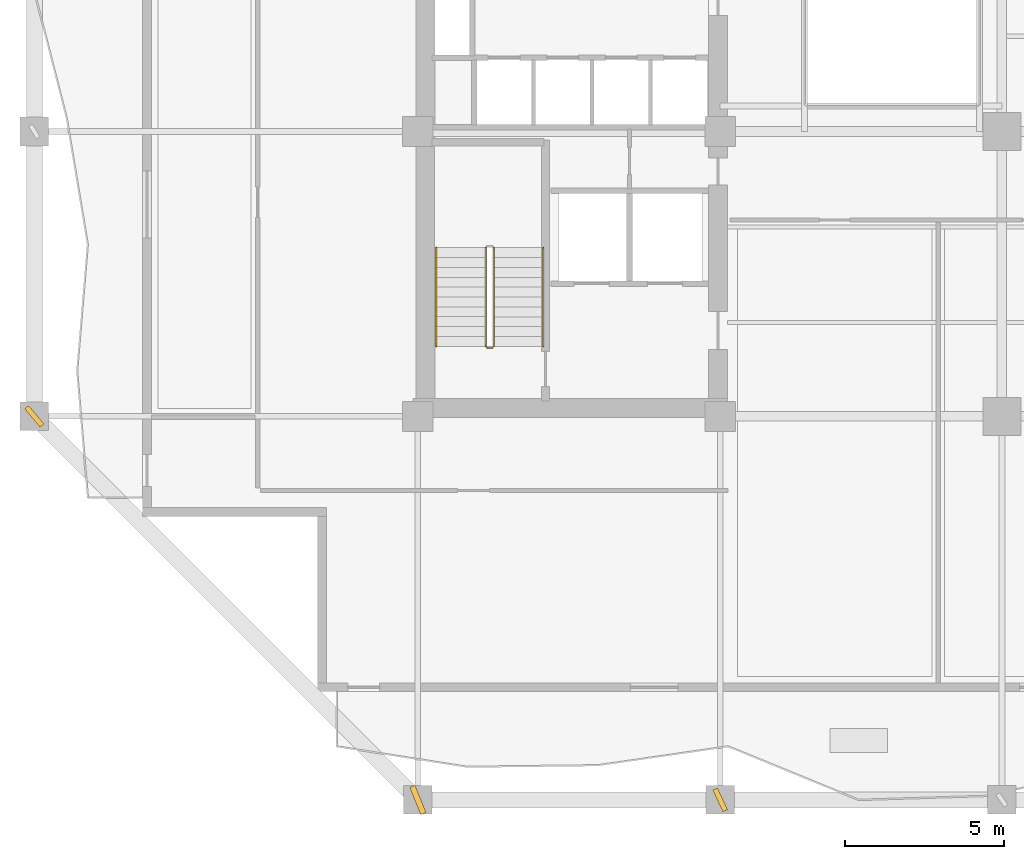
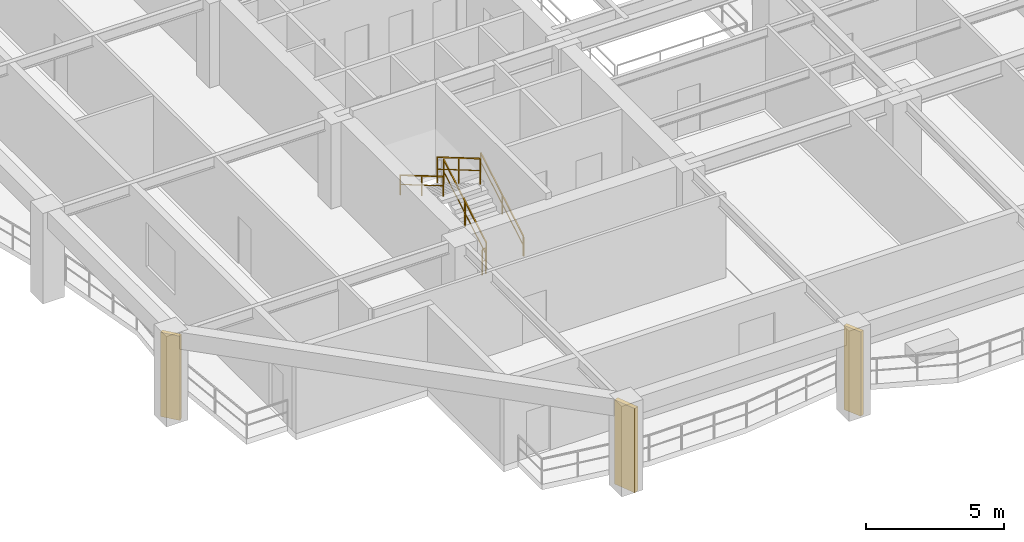
# One storey, part 6 of 12: 5 railings, 3 shading devices.
"""IFC4 building model written with IfcOpenShell, lengths in metres."""

from ifc_helpers import new_model, si_unit, direction, frame, origin, origin_2d, place, context, subcontext, project, spatial, rectangle, extrude, material, type_object, element, save


model = new_model("IFC4")

# Units and contexts
model_context = context("Model", 3, precision=1e-05, world=origin(), true_north=direction((0.0, 1.0)))
body_context = subcontext(model_context, "Body", "Model", "MODEL_VIEW")
ifc_project = project(units=[si_unit("LENGTHUNIT", "METRE"), si_unit("AREAUNIT", "SQUARE_METRE"), si_unit("VOLUMEUNIT", "CUBIC_METRE"), si_unit("PLANEANGLEUNIT", "RADIAN"), si_unit("MASSUNIT", "GRAM", prefix="KILO")], contexts=[model_context])

# Site, building, storey
site_placement = place(None, origin())
site = spatial("IfcSite", under=ifc_project, at=site_placement, CompositionType="ELEMENT")
building_placement = place(site_placement, origin())
building = spatial("IfcBuilding", under=site, at=building_placement, Name="Kundavana Baori Tower", CompositionType="ELEMENT")
storey_placement = place(building_placement, frame((0.0, 0.0, 46.0)))
storey = spatial("IfcBuildingStorey", under=building, at=storey_placement, Name="L10", CompositionType="ELEMENT", Elevation=46.0)

# Railings
ifc_material_1 = material(Name="Architectural Patinated Bronze Metalwork")
railing_type_1 = type_object("IfcRailingType", Name="RL-GRD-1150", PredefinedType="GUARDRAIL", material=ifc_material_1)
railing_1_placement = place(storey_placement, frame((17.840087890625, 17.449951171875, 0.181884765625)))
element("IfcRailing", 1, at=railing_1_placement, inside=storey, type_object=railing_type_1, Name="L10 ST1 stair guard 1", PredefinedType="GUARDRAIL", context=body_context, shape_type="SweptSolid", body=[
    extrude(rectangle(XDim=0.048095703125, YDim=0.048095703125, at=origin_2d()), frame((0.0, 0.0, 1.1259765625), z_axis=(0.0, 0.862598821094, 0.505888598258), x_axis=(-1.0, 0.0, 0.0)), (0.0, 0.0, 1.0), 3.593994140625),
    extrude(rectangle(XDim=0.03125, YDim=0.03125, at=origin_2d()), frame((0.0, 0.0, 0.597900390625), z_axis=(0.0, 0.862598821094, 0.505888598258), x_axis=(-1.0, 0.0, 0.0)), (0.0, 0.0, 1.0), 3.593994140625),
    extrude(rectangle(XDim=0.0419921875, YDim=0.0419921875, at=origin_2d()), origin(), (0.0, 0.0, 1.0), 1.101806640625),
    extrude(rectangle(XDim=0.0419921875, YDim=0.0419921875, at=origin_2d()), frame((0.0, 1.550048828125, 0.9091796875)), (0.0, 0.0, 1.0), 1.101806640625),
    extrude(rectangle(XDim=0.0419921875, YDim=0.0419921875, at=origin_2d()), frame((0.0, 3.10009765625, 1.818115234375)), (0.0, 0.0, 1.0), 1.101806640625),
])
railing_2_placement = place(storey_placement, frame((17.580078125, 20.550048828125, 2.181884765625)))
element("IfcRailing", 2, at=railing_2_placement, inside=storey, type_object=railing_type_1, Name="L10 ST1 stair guard 3", PredefinedType="GUARDRAIL", context=body_context, shape_type="SweptSolid", body=[
    extrude(rectangle(XDim=0.048095703125, YDim=0.048095703125, at=origin_2d()), frame((0.0, 0.0, 1.1259765625), z_axis=(0.0, -0.862598821094, 0.505888598258), x_axis=(1.0, 0.0, 0.0)), (0.0, 0.0, 1.0), 3.593994140625),
    extrude(rectangle(XDim=0.03125, YDim=0.03125, at=origin_2d()), frame((0.0, 0.0, 0.597900390625), z_axis=(0.0, -0.862598821094, 0.505888598258), x_axis=(1.0, 0.0, 0.0)), (0.0, 0.0, 1.0), 3.593994140625),
    extrude(rectangle(XDim=0.0419921875, YDim=0.0419921875, at=origin_2d()), origin(), (0.0, 0.0, 1.0), 1.101806640625),
    extrude(rectangle(XDim=0.0419921875, YDim=0.0419921875, at=origin_2d()), frame((0.0, -1.550048828125, 0.9091796875)), (0.0, 0.0, 1.0), 1.101806640625),
    extrude(rectangle(XDim=0.0419921875, YDim=0.0419921875, at=origin_2d()), frame((0.0, -3.10009765625, 1.818115234375)), (0.0, 0.0, 1.0), 1.101806640625),
])
railing_3_placement = place(storey_placement, frame((17.7900390625, 17.39990234375, 0.0)))
element("IfcRailing", 3, at=railing_3_placement, inside=storey, type_object=railing_type_1, Name="L10 ST1 stair guard 4", PredefinedType="GUARDRAIL", context=body_context, shape_type="SweptSolid", body=[
    extrude(rectangle(XDim=0.048095703125, YDim=0.048095703125, at=origin_2d()), frame((0.0, 0.0, 1.1259765625), z_axis=(-1.0, 0.0, 0.0), x_axis=(0.0, -1.0, 0.0)), (0.0, 0.0, 1.0), 0.16015625),
    extrude(rectangle(XDim=0.03125, YDim=0.03125, at=origin_2d()), frame((0.0, 0.0, 0.597900390625), z_axis=(-1.0, 0.0, 0.0), x_axis=(0.0, -1.0, 0.0)), (0.0, 0.0, 1.0), 0.16015625),
    extrude(rectangle(XDim=0.0419921875, YDim=0.0419921875, at=origin_2d()), origin(), (0.0, 0.0, 1.0), 1.101806640625),
    extrude(rectangle(XDim=0.0419921875, YDim=0.0419921875, at=origin_2d()), frame((-0.16015625, 0.0, 0.0)), (0.0, 0.0, 1.0), 1.101806640625),
])
ifc_material_2 = material(Name="Architectural Patinated Bronze Metalwork")
railing_type_2 = type_object("IfcRailingType", Name="RL-HND-920", PredefinedType="HANDRAIL", material=ifc_material_2)
railing_4_placement = place(storey_placement, frame((19.389892578125, 17.449951171875, 0.181884765625)))
element("IfcRailing", 4, at=railing_4_placement, inside=storey, type_object=railing_type_2, Name="L10 ST1 stair handrail 1", PredefinedType="HANDRAIL", context=body_context, shape_type="SweptSolid", body=[
    extrude(rectangle(XDim=0.048095703125, YDim=0.048095703125, at=origin_2d()), frame((0.0, 0.0, 0.8759765625), z_axis=(0.0, 0.862598821094, 0.505888598258), x_axis=(-1.0, 0.0, 0.0)), (0.0, 0.0, 1.0), 3.593994140625),
    extrude(rectangle(XDim=0.03125, YDim=0.03125, at=origin_2d()), frame((0.0, 0.0, 0.468017578125), z_axis=(0.0, 0.862598821094, 0.505888598258), x_axis=(-1.0, 0.0, 0.0)), (0.0, 0.0, 1.0), 3.593994140625),
    extrude(rectangle(XDim=0.0419921875, YDim=0.0419921875, at=origin_2d()), origin(), (0.0, 0.0, 1.0), 0.851806640625),
    extrude(rectangle(XDim=0.0419921875, YDim=0.0419921875, at=origin_2d()), frame((0.0, 1.550048828125, 0.9091796875)), (0.0, 0.0, 1.0), 0.851806640625),
    extrude(rectangle(XDim=0.0419921875, YDim=0.0419921875, at=origin_2d()), frame((0.0, 3.10009765625, 1.818115234375)), (0.0, 0.0, 1.0), 0.851806640625),
])
railing_5_placement = place(storey_placement, frame((16.030029296875, 20.550048828125, 2.181884765625)))
element("IfcRailing", 5, at=railing_5_placement, inside=storey, type_object=railing_type_2, Name="L10 ST1 stair handrail 2", PredefinedType="HANDRAIL", context=body_context, shape_type="SweptSolid", body=[
    extrude(rectangle(XDim=0.048095703125, YDim=0.048095703125, at=origin_2d()), frame((0.0, 0.0, 0.8759765625), z_axis=(0.0, -0.862598821094, 0.505888598258), x_axis=(1.0, 0.0, 0.0)), (0.0, 0.0, 1.0), 3.593994140625),
    extrude(rectangle(XDim=0.03125, YDim=0.03125, at=origin_2d()), frame((0.0, 0.0, 0.468017578125), z_axis=(0.0, -0.862598821094, 0.505888598258), x_axis=(1.0, 0.0, 0.0)), (0.0, 0.0, 1.0), 3.593994140625),
    extrude(rectangle(XDim=0.0419921875, YDim=0.0419921875, at=origin_2d()), origin(), (0.0, 0.0, 1.0), 0.851806640625),
    extrude(rectangle(XDim=0.0419921875, YDim=0.0419921875, at=origin_2d()), frame((0.0, -1.550048828125, 0.9091796875)), (0.0, 0.0, 1.0), 0.851806640625),
    extrude(rectangle(XDim=0.0419921875, YDim=0.0419921875, at=origin_2d()), frame((0.0, -3.10009765625, 1.818115234375)), (0.0, 0.0, 1.0), 0.851806640625),
])

# Shading devices
ifc_material_3 = material(Name="Red-Buff Dholpur Sandstone Cladding on Concrete C40/50", Category="masonry")
shading_device_type_1 = type_object("IfcShadingDeviceType", Name="SHD-FIN-750", PredefinedType="JALOUSIE", material=ifc_material_3)
for number, where, z_axis, x_axis, name in (
    (6, (24.949951171875, 3.199951171875, 0.0), (0.0, 0.0, 1.0), (0.906749854826, 0.421668946893, 0.0), "L10 Sweeping Dholpur Sandstone Facade Fin 2"),
    (7, (3.39990234375, 15.25, 0.0), (0.0, 0.0, 1.0), (0.766268771648, 0.642520170576, 0.0), "L10 Sweeping Dholpur Sandstone Facade Fin 5"),
):
    element("IfcShadingDevice", number, at=place(storey_placement, frame(where, z_axis=z_axis, x_axis=x_axis)), inside=storey, type_object=shading_device_type_1, Name=name, PredefinedType="JALOUSIE", context=body_context, shape_type="SweptSolid", body=[
        extrude(rectangle(XDim=0.159912109375, YDim=0.75, at=origin_2d()), origin(), (0.0, 0.0, 1.0), 3.719970703125),
    ])
ifc_material_4 = material(Name="Red-Buff Dholpur Sandstone Cladding on Concrete C40/50", Category="masonry")
shading_device_type_2 = type_object("IfcShadingDeviceType", Name="SHD-FIN-920", PredefinedType="JALOUSIE", material=ifc_material_4)
shading_device_placement = place(storey_placement, frame((15.449951171875, 3.199951171875, 0.0), z_axis=(0.0, 0.0, 1.0), x_axis=(0.92573863709, 0.378163953596, 0.0)))
element("IfcShadingDevice", 8, at=shading_device_placement, inside=storey, type_object=shading_device_type_2, Name="L10 Sweeping Dholpur Sandstone Facade Fin 1", PredefinedType="JALOUSIE", context=body_context, shape_type="SweptSolid", body=[
    extrude(rectangle(XDim=0.179931640625, YDim=0.919921875, at=origin_2d()), origin(), (0.0, 0.0, 1.0), 3.719970703125),
])

save(model, "model.ifc")
